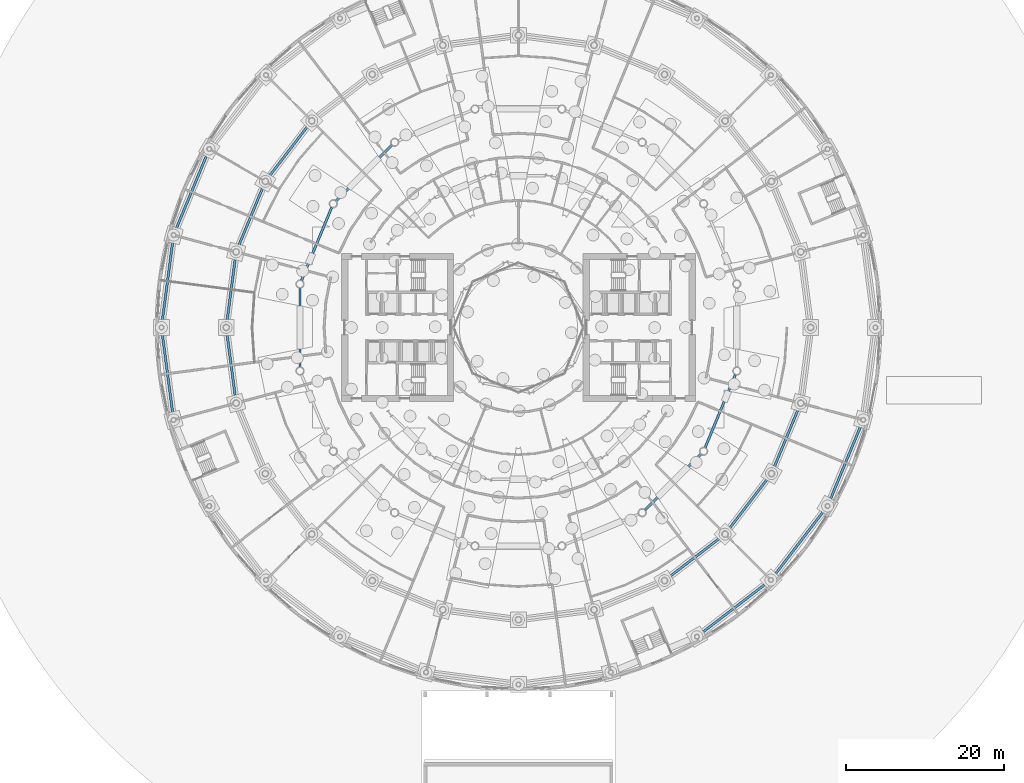
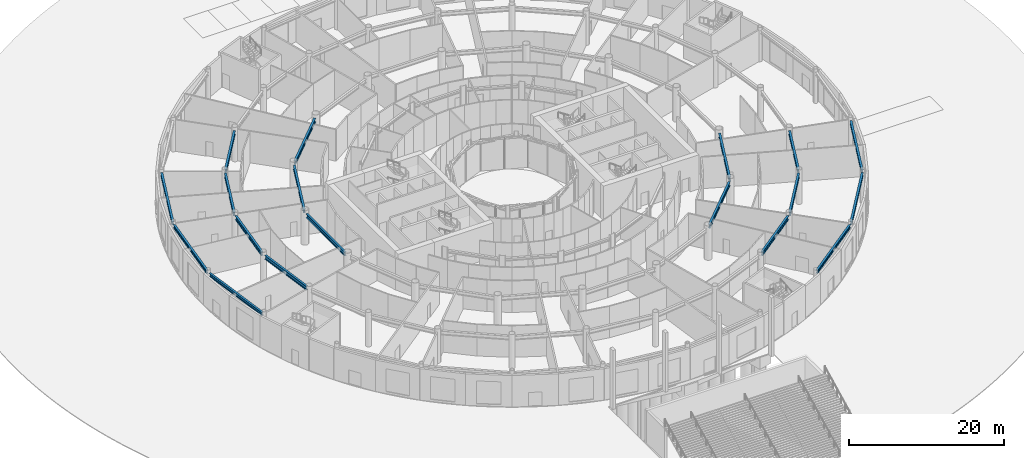
# One storey, part 13 of 41: 18 beams.
"""IFC4 building model written with IfcOpenShell, lengths in metres."""

from ifc_helpers import new_model, si_unit, direction, frame, origin, origin_2d, place, context, subcontext, project, spatial, i_section, extrude, material, material_profile, profile_set, type_object, element, save


model = new_model("IFC4")

# Units and contexts
model_context = context("Model", 3, precision=1e-05, world=origin(), true_north=direction((0.0, 1.0)))
body_context = subcontext(model_context, "Body", "Model", "MODEL_VIEW")
ifc_project = project(units=[si_unit("LENGTHUNIT", "METRE"), si_unit("AREAUNIT", "SQUARE_METRE"), si_unit("VOLUMEUNIT", "CUBIC_METRE"), si_unit("PLANEANGLEUNIT", "RADIAN"), si_unit("MASSUNIT", "GRAM", prefix="KILO")], contexts=[model_context])

# Site, building, storey
site_placement = place(None, origin())
site = spatial("IfcSite", under=ifc_project, at=site_placement, CompositionType="ELEMENT")
building_placement = place(site_placement, origin())
building = spatial("IfcBuilding", under=site, at=building_placement, Name="Maasbend Ring Residences", CompositionType="ELEMENT")
storey_placement = place(building_placement, origin())
storey = spatial("IfcBuildingStorey", under=building, at=storey_placement, Name="L00", CompositionType="ELEMENT", Elevation=0.0)

# Beams
ifc_material_1 = material(Name="Steel S355J2", Category="steel")
ifc_material_profile_1 = material_profile(ifc_material_1, i_section(OverallWidth=0.300048828125, OverallDepth=0.5, WebThickness=0.014404296875, FlangeThickness=0.028076171875, FilletRadius=0.027099609375, at=origin_2d()), Name="HEB 500")
ifc_profile_set_1 = profile_set([ifc_material_profile_1], Name="Steel S355J2")
beam_type_1 = type_object("IfcBeamType", Name="Podium ring beam HEB 500", PredefinedType="BEAM", material=ifc_profile_set_1)
for number, where, z_axis, x_axis, name in (
    (1, (-39.260986328125, 22.318115234375, 4.699951171875), (-0.382701220114, -0.923872164384, 0.0), (0.923872164384, -0.382701220114, 0.0), "Podium ring beam"),
    (2, (-43.69970703125, 11.396240234375, 4.699951171875), (-0.130519983501, -0.991445678747, 0.0), (0.991445678747, -0.130519983501, 0.0), "Podium ring beam"),
    (3, (-45.16015625, -0.302490234375, 4.699951171875), (0.130519983501, -0.991445678747, 0.0), (0.991445678747, 0.130519983501, 0.0), "Podium ring beam"),
    (4, (22.842041015625, -38.95849609375, 4.699951171875), (0.793361523963, 0.608750763691, 0.0), (-0.608750763691, 0.793361523963, 0.0), "Podium ring beam"),
    (5, (32.14697265625, -31.71923828125, 4.699951171875), (0.608750763691, 0.793361523963, 0.0), (-0.793361523963, 0.608750763691, 0.0), "Podium ring beam"),
    (6, (39.260986328125, -22.318115234375, 4.699951171875), (0.382701220114, 0.923872164384, 0.0), (-0.923872164384, 0.382701220114, 0.0), "Podium ring beam"),
):
    element("IfcBeam", number, at=place(storey_placement, frame(where, z_axis=z_axis, x_axis=x_axis)), inside=storey, type_object=beam_type_1, Name=name, PredefinedType="BEAM", context=body_context, shape_type="SweptSolid", body=[
        extrude(i_section(OverallWidth=0.300048828125, OverallDepth=0.5, WebThickness=0.014404296875, FlangeThickness=0.028076171875, FilletRadius=0.027099609375, at=origin_2d()), origin(), (0.0, 0.0, 1.0), 11.189453125),
    ])
ifc_material_2 = material(Name="Steel S460M", Category="steel")
ifc_material_profile_2 = material_profile(ifc_material_2, i_section(OverallWidth=0.300048828125, OverallDepth=0.60009765625, WebThickness=0.015380859375, FlangeThickness=0.030029296875, FilletRadius=0.027099609375, at=origin_2d()), Name="HEB 600")
ifc_profile_set_2 = profile_set([ifc_material_profile_2], Name="Steel S460M")
beam_type_2 = type_object("IfcBeamType", Name="Podium ring beam HEB 600", PredefinedType="BEAM", material=ifc_profile_set_2)
for number, where, z_axis, x_axis, name in (
    (7, (-26.410400390625, 25.840576171875, 4.64990234375), (-0.608751326002, -0.793361092499, 0.0), (0.793361092499, -0.608751326002, 0.0), "Podium ring beam"),
    (8, (-32.198486328125, 18.12451171875, 4.64990234375), (-0.382688167356, -0.923877571199, 0.0), (0.923877571199, -0.382688167356, 0.0), "Podium ring beam"),
    (9, (-35.79248046875, 9.17333984375, 4.64990234375), (-0.13051662461, -0.991446120927, 0.0), (0.991446120927, -0.13051662461, 0.0), "Podium ring beam"),
    (10, (-36.947021484375, -0.403076171875, 4.64990234375), (0.13051662461, -0.991446120927, 0.0), (0.991446120927, 0.13051662461, 0.0), "Podium ring beam"),
    (11, (18.822509765625, -31.79541015625, 4.64990234375), (0.793361092499, 0.608751326002, 0.0), (-0.608751326002, 0.793361092499, 0.0), "Podium ring beam"),
    (12, (26.410400390625, -25.840576171875, 4.64990234375), (0.608751326002, 0.793361092499, 0.0), (-0.793361092499, 0.608751326002, 0.0), "Podium ring beam"),
    (13, (32.198486328125, -18.12451171875, 4.64990234375), (0.382688167356, 0.923877571199, 0.0), (-0.923877571199, 0.382688167356, 0.0), "Podium ring beam"),
):
    element("IfcBeam", number, at=place(storey_placement, frame(where, z_axis=z_axis, x_axis=x_axis)), inside=storey, type_object=beam_type_2, Name=name, PredefinedType="BEAM", context=body_context, shape_type="SweptSolid", body=[
        extrude(i_section(OverallWidth=0.300048828125, OverallDepth=0.60009765625, WebThickness=0.015380859375, FlangeThickness=0.030029296875, FilletRadius=0.027099609375, at=origin_2d()), origin(), (0.0, 0.0, 1.0), 8.845947265625),
    ])
ifc_material_3 = material(Name="Steel S460M", Category="steel")
ifc_material_profile_3 = material_profile(ifc_material_3, i_section(OverallWidth=0.300048828125, OverallDepth=0.60009765625, WebThickness=0.015380859375, FlangeThickness=0.030029296875, FilletRadius=0.027099609375, at=origin_2d()), Name="HEB 600")
ifc_profile_set_3 = profile_set([ifc_material_profile_3], Name="Steel S460M")
beam_type_3 = type_object("IfcBeamType", Name="Spandrel ring beam HEB 600", PredefinedType="SPANDREL", material=ifc_profile_set_3)
beam_1_placement = place(storey_placement, frame((-16.0263671875, 23.088134765625, 4.64990234375), z_axis=(-0.707106781187, -0.707106781187, 0.0), x_axis=(0.707106781187, -0.707106781187, 0.0)))
element("IfcBeam", 14, at=beam_1_placement, inside=storey, type_object=beam_type_3, Name="Spandrel ring beam", PredefinedType="SPANDREL", context=body_context, shape_type="SweptSolid", body=[
    extrude(i_section(OverallWidth=0.300048828125, OverallDepth=0.60009765625, WebThickness=0.015380859375, FlangeThickness=0.030029296875, FilletRadius=0.027099609375, at=origin_2d()), origin(), (0.0, 0.0, 1.0), 9.98681640625),
])
beam_2_placement = place(storey_placement, frame((-23.641845703125, 15.19775390625, 4.64990234375), z_axis=(-0.382667003395, -0.923886337442, 0.0), x_axis=(0.923886337442, -0.382667003395, 0.0)))
element("IfcBeam", 15, at=beam_2_placement, inside=storey, type_object=beam_type_3, Name="Spandrel ring beam", PredefinedType="SPANDREL", context=body_context, shape_type="SweptSolid", body=[
    extrude(i_section(OverallWidth=0.300048828125, OverallDepth=0.60009765625, WebThickness=0.015380859375, FlangeThickness=0.030029296875, FilletRadius=0.027099609375, at=origin_2d()), origin(), (0.0, 0.0, 1.0), 9.9873046875),
])
for number, where, z_axis, x_axis, name in (
    (16, (-27.658203125, 4.993408203125, 4.64990234375), (0.0, -1.0, 0.0), (1.0, 0.0, 0.0), "Spandrel ring beam"),
    (17, (16.0263671875, -23.088134765625, 4.64990234375), (0.707106781187, 0.707106781187, 0.0), (-0.707106781187, 0.707106781187, 0.0), "Spandrel ring beam"),
):
    element("IfcBeam", number, at=place(storey_placement, frame(where, z_axis=z_axis, x_axis=x_axis)), inside=storey, type_object=beam_type_3, Name=name, PredefinedType="SPANDREL", context=body_context, shape_type="SweptSolid", body=[
        extrude(i_section(OverallWidth=0.300048828125, OverallDepth=0.60009765625, WebThickness=0.015380859375, FlangeThickness=0.030029296875, FilletRadius=0.027099609375, at=origin_2d()), origin(), (0.0, 0.0, 1.0), 9.98681640625),
    ])
beam_3_placement = place(storey_placement, frame((23.641845703125, -15.19775390625, 4.64990234375), z_axis=(0.382667003395, 0.923886337442, 0.0), x_axis=(-0.923886337442, 0.382667003395, 0.0)))
element("IfcBeam", 18, at=beam_3_placement, inside=storey, type_object=beam_type_3, Name="Spandrel ring beam", PredefinedType="SPANDREL", context=body_context, shape_type="SweptSolid", body=[
    extrude(i_section(OverallWidth=0.300048828125, OverallDepth=0.60009765625, WebThickness=0.015380859375, FlangeThickness=0.030029296875, FilletRadius=0.027099609375, at=origin_2d()), origin(), (0.0, 0.0, 1.0), 9.9873046875),
])

save(model, "model.ifc")
